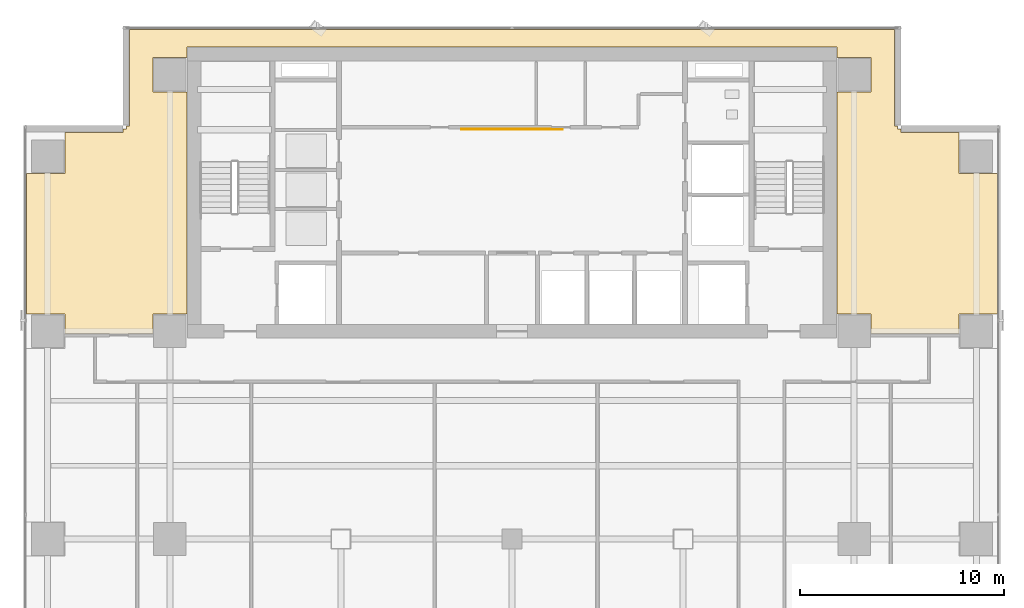
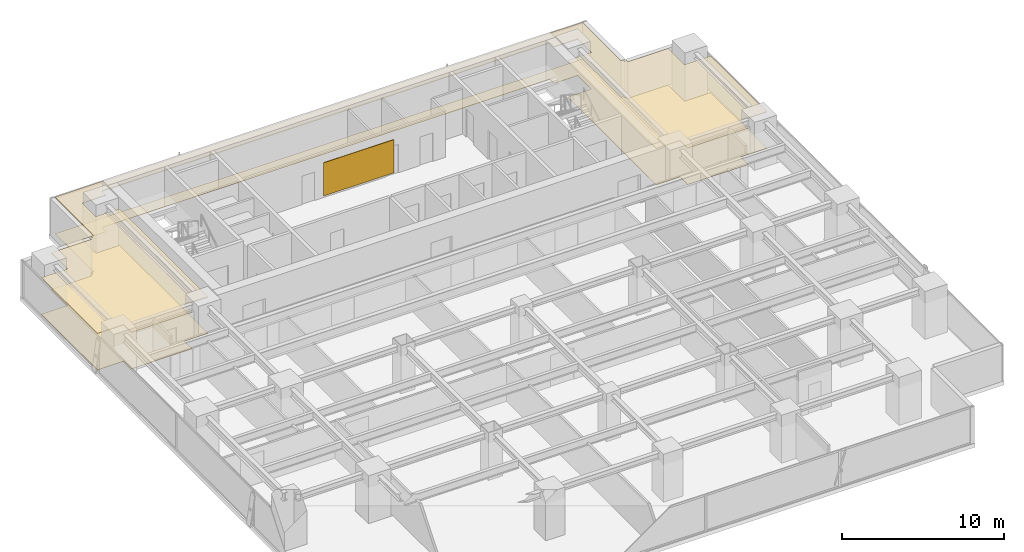
# One storey, part 26 of 29: 3 coverings.
"""IFC4 building model written with IfcOpenShell, lengths in metres."""

from ifc_helpers import new_model, si_unit, direction, frame, origin, origin_2d, place, context, subcontext, project, spatial, polyline, rectangle, outline, extrude, source, transform, mapped, material, layer, layer_set, type_object, element, save


model = new_model("IFC4")

# Units and contexts
model_context = context("Model", 3, precision=1e-05, world=origin(), true_north=direction((0.0, 1.0)))
body_context = subcontext(model_context, "Body", "Model", "MODEL_VIEW")
ifc_project = project(units=[si_unit("LENGTHUNIT", "METRE"), si_unit("AREAUNIT", "SQUARE_METRE"), si_unit("VOLUMEUNIT", "CUBIC_METRE"), si_unit("PLANEANGLEUNIT", "RADIAN"), si_unit("MASSUNIT", "GRAM", prefix="KILO")], contexts=[model_context])

# Site, building, storey
site_placement = place(None, origin())
site = spatial("IfcSite", under=ifc_project, at=site_placement, CompositionType="ELEMENT")
building_placement = place(site_placement, origin())
building = spatial("IfcBuilding", under=site, at=building_placement, Name="Sumidabori Civic Tower", CompositionType="ELEMENT")
storey_placement = place(building_placement, frame((0.0, 0.0, 131.60009765625)))
storey = spatial("IfcBuildingStorey", under=building, at=storey_placement, Name="L33", CompositionType="ELEMENT", Elevation=131.60009765625)

# Coverings
ifc_material_1 = material(Name="Anodised Bronze Baffle Ceiling")
ifc_layer_1 = layer(ifc_material_1, 0.054931640625, Name="Anodised Bronze Baffle Ceiling")
ifc_layer_set_1 = layer_set([ifc_layer_1], Name="Anodised Bronze Baffle Ceiling")
covering_type_1 = type_object("IfcCoveringType", Name="CV-CEIL-AC3", PredefinedType="CEILING", material=ifc_layer_set_1)
covering_1_placement = place(storey_placement, frame((0.0, 0.0, 2.72998046875)))
element("IfcCovering", 1, at=covering_1_placement, inside=storey, type_object=covering_type_1, Name="Room Acoustic Ceiling L33-01", PredefinedType="CEILING", context=body_context, shape_type="SweptSolid", body=[
    extrude(outline(polyline([(-23.830078125, 17.9599609375), (-21.9599609375, 17.9599609375), (-21.9599609375, 19.971923828125), (-19.092041015625, 19.971923828125), (-19.092041015625, 20.1298828125), (-18.929931640625, 20.1298828125), (-18.929931640625, 20.2919921875), (-18.77197265625, 20.2919921875), (-18.77197265625, 25.030029296875), (18.77197265625, 25.030029296875), (18.77197265625, 20.2919921875), (18.929931640625, 20.2919921875), (18.929931640625, 20.1298828125), (19.092041015625, 20.1298828125), (19.092041015625, 19.971923828125), (21.9599609375, 19.971923828125), (21.9599609375, 17.9599609375), (23.830078125, 17.9599609375), (23.830078125, 11.0400390625), (21.9599609375, 11.0400390625), (21.9599609375, 10.08740234375), (20.554931640625, 10.08740234375), (20.554931640625, 10.10498046875), (17.639892578125, 10.10498046875), (17.639892578125, 11.0400390625), (15.952880859375, 11.0400390625), (15.952880859375, 21.9599609375), (17.639892578125, 21.9599609375), (17.639892578125, 23.639892578125), (15.952880859375, 23.639892578125), (15.952880859375, 24.153076171875), (-15.952880859375, 24.153076171875), (-15.952880859375, 23.639892578125), (-17.639892578125, 23.639892578125), (-17.639892578125, 21.9599609375), (-15.952880859375, 21.9599609375), (-15.952880859375, 11.0400390625), (-17.639892578125, 11.0400390625), (-17.639892578125, 10.10498046875), (-20.554931640625, 10.10498046875), (-20.554931640625, 10.08740234375), (-21.9599609375, 10.08740234375), (-21.9599609375, 11.0400390625), (-23.830078125, 11.0400390625), (-23.830078125, 17.9599609375)])), origin(), (0.0, 0.0, 1.0), 0.054931640625),
])
ifc_material_2 = material(Name="Honed Terrazzo Tile Flooring")
ifc_layer_2 = layer(ifc_material_2, 0.030029296875, Name="Honed Terrazzo Tile Flooring")
ifc_layer_set_2 = layer_set([ifc_layer_2], Name="Honed Terrazzo Tile Flooring")
covering_type_2 = type_object("IfcCoveringType", Name="CV-FLR-TER", PredefinedType="FLOORING", material=ifc_layer_set_2)
covering_2_placement = place(storey_placement, origin())
element("IfcCovering", 2, at=covering_2_placement, inside=storey, type_object=covering_type_2, Name="Room Terrazzo Floor L33-01", PredefinedType="FLOORING", context=body_context, shape_type="SweptSolid", body=[
    extrude(outline(polyline([(-23.830078125, 17.9599609375), (-21.9599609375, 17.9599609375), (-21.9599609375, 19.971923828125), (-19.092041015625, 19.971923828125), (-19.092041015625, 20.1298828125), (-18.929931640625, 20.1298828125), (-18.929931640625, 20.2919921875), (-18.77197265625, 20.2919921875), (-18.77197265625, 25.030029296875), (18.77197265625, 25.030029296875), (18.77197265625, 20.2919921875), (18.929931640625, 20.2919921875), (18.929931640625, 20.1298828125), (19.092041015625, 20.1298828125), (19.092041015625, 19.971923828125), (21.9599609375, 19.971923828125), (21.9599609375, 17.9599609375), (23.830078125, 17.9599609375), (23.830078125, 11.0400390625), (21.9599609375, 11.0400390625), (21.9599609375, 10.08740234375), (20.554931640625, 10.08740234375), (20.554931640625, 10.10498046875), (17.639892578125, 10.10498046875), (17.639892578125, 11.0400390625), (15.952880859375, 11.0400390625), (15.952880859375, 21.9599609375), (17.639892578125, 21.9599609375), (17.639892578125, 23.639892578125), (15.952880859375, 23.639892578125), (15.952880859375, 24.153076171875), (-15.952880859375, 24.153076171875), (-15.952880859375, 23.639892578125), (-17.639892578125, 23.639892578125), (-17.639892578125, 21.9599609375), (-15.952880859375, 21.9599609375), (-15.952880859375, 11.0400390625), (-17.639892578125, 11.0400390625), (-17.639892578125, 10.10498046875), (-20.554931640625, 10.10498046875), (-20.554931640625, 10.08740234375), (-21.9599609375, 10.08740234375), (-21.9599609375, 11.0400390625), (-23.830078125, 11.0400390625), (-23.830078125, 17.9599609375)])), origin(), (0.0, 0.0, 1.0), 0.02978515625),
])
ifc_material_3 = material(Name="Anodised Bronze Aluminium Core Cladding", Category="aluminium")
ifc_layer_3 = layer(ifc_material_3, 0.0400390625, Name="Anodised Bronze Aluminium Core Cladding")
ifc_layer_set_3 = layer_set([ifc_layer_3], Name="Anodised Bronze Aluminium Core Cladding")
covering_type_3 = type_object("IfcCoveringType", Name="CV-CLAD-BRZ", PredefinedType="CLADDING", material=ifc_layer_set_3)
shared_shape = source(origin(), body_context, "Body", "SweptSolid", [
    extrude(rectangle(XDim=5.0, YDim=0.0400390625, at=origin_2d()), origin(), (0.0, 0.0, 1.0), 2.5),
])
covering_3_placement = place(storey_placement, frame((0.0, 20.1201171875, 0.14990234375), z_axis=(0.0, 0.0, 1.0), x_axis=(1.0, 0.0, 0.0)))
element("IfcCovering", 3, at=covering_3_placement, inside=storey, type_object=covering_type_3, Name="Bronze Core Lobby Feature Cladding L33", PredefinedType="CLADDING", context=body_context, shape_type="MappedRepresentation", body=[
    mapped(shared_shape, transform((0.0, 0.0, 0.0), x_axis=(1.0, 0.0, 0.0), y_axis=(0.0, 1.0, 0.0), z_axis=(0.0, 0.0, 1.0), scale=1.0)),
])

save(model, "model.ifc")
